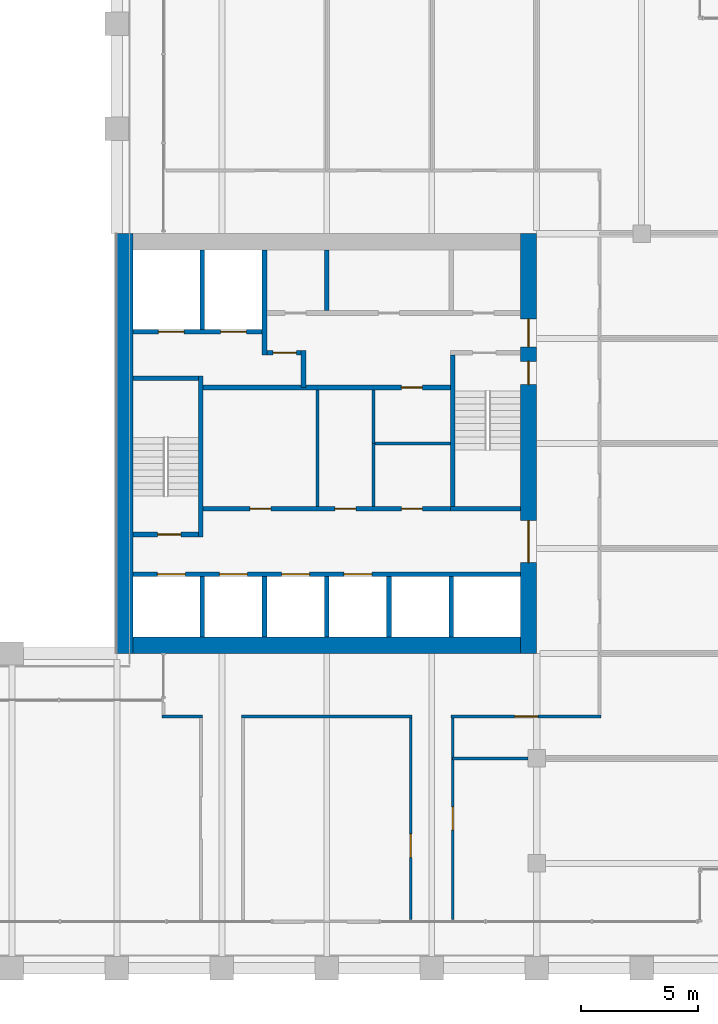
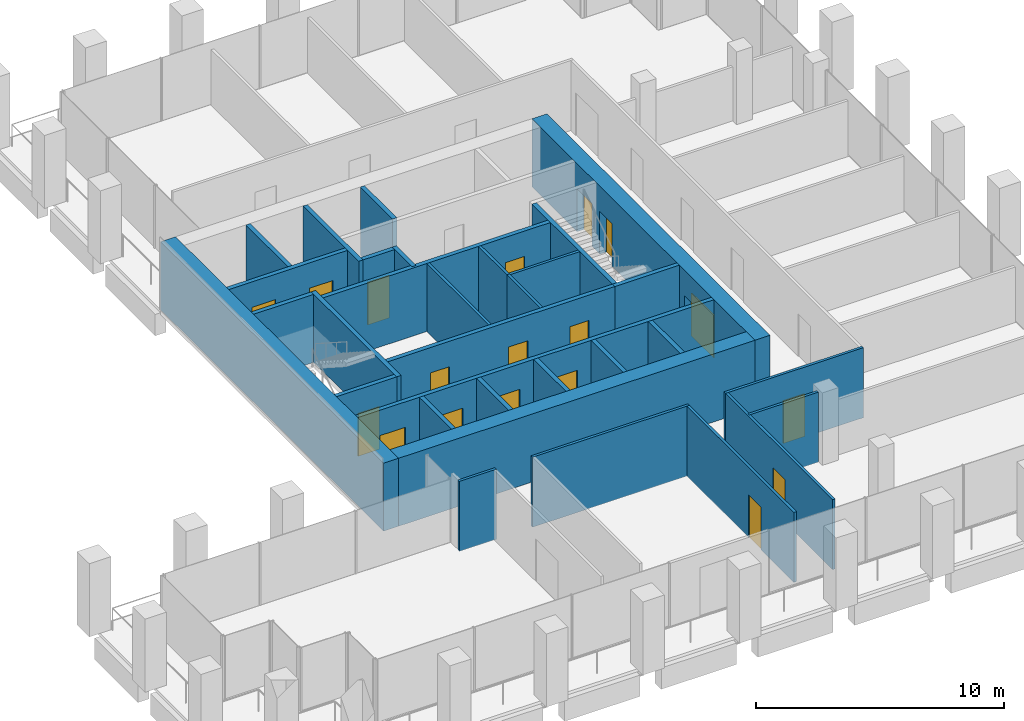
# One storey, part 41 of 46: 32 walls, 18 doors, 18 openings.
"""IFC4 building model written with IfcOpenShell, lengths in metres."""

from ifc_helpers import new_model, si_unit, direction, frame, frame_2d, origin, place, context, subcontext, project, spatial, rectangle, extrude, material, layer, layer_set, type_object, element, fill, save


model = new_model("IFC4")

# Units and contexts
model_context = context("Model", 3, precision=1e-05, world=origin(), true_north=direction((0.0, 1.0)))
body_context = subcontext(model_context, "Body", "Model", "MODEL_VIEW")
ifc_project = project(units=[si_unit("LENGTHUNIT", "METRE"), si_unit("AREAUNIT", "SQUARE_METRE"), si_unit("VOLUMEUNIT", "CUBIC_METRE"), si_unit("PLANEANGLEUNIT", "RADIAN"), si_unit("MASSUNIT", "GRAM", prefix="KILO")], contexts=[model_context])

# Site, building, storey
site_placement = place(None, origin())
site = spatial("IfcSite", under=ifc_project, at=site_placement, CompositionType="ELEMENT")
building_placement = place(site_placement, origin())
building = spatial("IfcBuilding", under=site, at=building_placement, Name="Altepetl Exchange Towers", CompositionType="ELEMENT")
storey_placement = place(building_placement, frame((0.0, 0.0, 131.60009765625)))
storey = spatial("IfcBuildingStorey", under=building, at=storey_placement, Name="L32", CompositionType="ELEMENT", Elevation=131.60009765625)

# Wall, openings, doors
ifc_material_1 = material(Name="Concrete C70/85", Category="concrete")
ifc_layer_1 = layer(ifc_material_1, 0.699951171875)
ifc_layer_set_1 = layer_set([ifc_layer_1], Name="Concrete C70/85")
wall_type_1 = type_object("IfcWallType", Name="Core wall 700 reinforced concrete", PredefinedType="SHEAR", material=ifc_layer_set_1)
wall_1_placement = place(storey_placement, frame((58.14990234375, 40.5, 0.0), z_axis=(0.0, 0.0, 1.0), x_axis=(0.0, 1.0, 0.0)))
wall_1 = element("IfcWall", 1, at=wall_1_placement, inside=storey, type_object=wall_type_1, Name="wall:A:L32:K-coreE", PredefinedType="SHEAR", context=body_context, shape_type="SweptSolid", body=[
    extrude(rectangle(XDim=18.0, YDim=0.699951171875, at=frame_2d((9.0, 0.0))), origin(), (0.0, 0.0, 1.0), 3.349853515625),
])
opening_1_placement = place(wall_1_placement, frame((13.14990234375, 0.0, 0.0)))
opening_1 = element("IfcOpeningElement", 2, at=opening_1_placement, cuts=wall_1, Name="Opening L32.A60", PredefinedType="OPENING", context=body_context, shape_type="SweptSolid", body=[
    extrude(rectangle(XDim=1.199951171875, YDim=2.10009765625, at=frame_2d((0.60009765625, 1.050048828125))), frame((0.0, 0.35986328125, 0.0), z_axis=(0.0, -1.0, 0.0), x_axis=(1.0, 0.0, 0.0)), (0.0, 0.0, 1.0), 0.719970703125),
])
opening_2_placement = place(wall_1_placement, frame((3.89990234375, 0.0, 0.0)))
opening_2 = element("IfcOpeningElement", 3, at=opening_2_placement, cuts=wall_1, Name="Opening L32.A61", PredefinedType="OPENING", context=body_context, shape_type="SweptSolid", body=[
    extrude(rectangle(XDim=1.800048828125, YDim=2.10009765625, at=frame_2d((0.89990234375, 1.050048828125))), frame((0.0, 0.35986328125, 0.0), z_axis=(0.0, -1.0, 0.0), x_axis=(1.0, 0.0, 0.0)), (0.0, 0.0, 1.0), 0.719970703125),
])
opening_3_placement = place(wall_1_placement, frame((11.52490234375, 0.0, 0.0)))
opening_3 = element("IfcOpeningElement", 4, at=opening_3_placement, cuts=wall_1, Name="Opening L32.A64", PredefinedType="OPENING", context=body_context, shape_type="SweptSolid", body=[
    extrude(rectangle(XDim=1.0, YDim=2.10009765625, at=frame_2d((0.5, 1.050048828125))), frame((0.0, 0.35986328125, 0.0), z_axis=(0.0, -1.0, 0.0), x_axis=(1.0, 0.0, 0.0)), (0.0, 0.0, 1.0), 0.719970703125),
])
ifc_material_2 = material(Name="Steel and timber fire door", Category="steel")
door_type_1 = type_object("IfcDoorType", Name="Fire door 1000 x 2100 stair and lobby", OperationType="SINGLE_SWING_LEFT", PredefinedType="DOOR", material=ifc_material_2)
door_1_placement = place(opening_3_placement, origin())
door_1 = element("IfcDoor", 5, at=door_1_placement, inside=storey, type_object=door_type_1, Name="door:A:L32:K-dS2x", OperationType="SINGLE_SWING_RIGHT", OverallHeight=2.10009765625, OverallWidth=1.0, PredefinedType="DOOR", context=body_context, shape_type="SweptSolid", body=[
    extrude(rectangle(XDim=1.0, YDim=2.10009765625, at=frame_2d((0.5, 1.050048828125))), frame((0.0, 0.02490234375, 0.0), z_axis=(0.0, -1.0, 0.0), x_axis=(1.0, 0.0, 0.0)), (0.0, 0.0, 1.0), 0.050048828125),
])
fill(opening_3, door_1)
door_type_2 = type_object("IfcDoorType", Name="Fire door 1200 x 2100 lobby entry", OperationType="SINGLE_SWING_LEFT", PredefinedType="DOOR", material=ifc_material_2)
door_2_placement = place(opening_1_placement, origin())
door_2 = element("IfcDoor", 6, at=door_2_placement, inside=storey, type_object=door_type_2, Name="door:A:L32:K-dLNE", OperationType="SINGLE_SWING_RIGHT", OverallHeight=2.10009765625, OverallWidth=1.199951171875, PredefinedType="DOOR", context=body_context, shape_type="SweptSolid", body=[
    extrude(rectangle(XDim=1.199951171875, YDim=2.10009765625, at=frame_2d((0.60009765625, 1.050048828125))), frame((0.0, 0.02490234375, 0.0), z_axis=(0.0, -1.0, 0.0), x_axis=(1.0, 0.0, 0.0)), (0.0, 0.0, 1.0), 0.050048828125),
])
fill(opening_1, door_2)
door_type_3 = type_object("IfcDoorType", Name="Fire door 1800 x 2100 lobby entry", OperationType="DOUBLE_DOOR_SINGLE_SWING", PredefinedType="DOOR", material=ifc_material_2)
door_3_placement = place(opening_2_placement, origin())
door_3 = element("IfcDoor", 7, at=door_3_placement, inside=storey, type_object=door_type_3, Name="door:A:L32:K-dLSE", OperationType="DOUBLE_DOOR_SINGLE_SWING", OverallHeight=2.10009765625, OverallWidth=1.800048828125, PredefinedType="DOOR", context=body_context, shape_type="SweptSolid", body=[
    extrude(rectangle(XDim=1.800048828125, YDim=2.10009765625, at=frame_2d((0.89990234375, 1.050048828125))), frame((0.0, 0.02490234375, 0.0), z_axis=(0.0, -1.0, 0.0), x_axis=(1.0, 0.0, 0.0)), (0.0, 0.0, 1.0), 0.050048828125),
])
fill(opening_2, door_3)

# Walls
wall_2_placement = place(storey_placement, frame((41.199951171875, 40.85009765625, 0.0)))
element("IfcWall", 8, at=wall_2_placement, inside=storey, type_object=wall_type_1, Name="wall:A:L32:K-coreS", PredefinedType="SHEAR", context=body_context, shape_type="SweptSolid", body=[
    extrude(rectangle(XDim=16.60009765625, YDim=0.699951171875, at=frame_2d((8.300048828125, 0.0))), origin(), (0.0, 0.0, 1.0), 3.349853515625),
])
ifc_layer_2 = layer(ifc_material_1, 0.699951171875)
ifc_layer_set_2 = layer_set([ifc_layer_2], Name="Concrete C70/85")
wall_type_2 = type_object("IfcWallType", Name="Core wall 700 reinforced concrete external", PredefinedType="SHEAR", material=ifc_layer_set_2)
wall_3_placement = place(storey_placement, frame((40.85009765625, 40.5, 0.0), z_axis=(0.0, 0.0, 1.0), x_axis=(0.0, 1.0, 0.0)))
element("IfcWall", 9, at=wall_3_placement, inside=storey, type_object=wall_type_2, Name="wall:A:L32:K-coreW", PredefinedType="SHEAR", context=body_context, shape_type="SweptSolid", body=[
    extrude(rectangle(XDim=18.0, YDim=0.699951171875, at=frame_2d((9.0, 0.0))), origin(), (0.0, 0.0, 1.0), 3.349853515625),
])
ifc_material_3 = material(Name="Concrete blockwork", Category="masonry")
ifc_layer_3 = layer(ifc_material_3, 0.199951171875)
ifc_layer_set_3 = layer_set([ifc_layer_3], Name="Concrete blockwork")
wall_type_3 = type_object("IfcWallType", Name="Lobby wall 200 blockwork", PredefinedType="PARTITIONING", material=ifc_layer_set_3)
wall_4_placement = place(storey_placement, frame((48.5, 51.89990234375, 0.0), z_axis=(0.0, 0.0, 1.0), x_axis=(0.0, 1.0, 0.0)))
element("IfcWall", 10, at=wall_4_placement, inside=storey, type_object=wall_type_3, Name="wall:A:L32:K-ffE", PredefinedType="PARTITIONING", context=body_context, shape_type="SweptSolid", body=[
    extrude(rectangle(XDim=1.60009765625, YDim=0.199951171875, at=frame_2d((0.800048828125, 0.0))), origin(), (0.0, 0.0, 1.0), 3.349853515625),
])

# Wall, opening, door
wall_5_placement = place(storey_placement, frame((46.933349609375, 53.39990234375, 0.0)))
wall_5 = element("IfcWall", 11, at=wall_5_placement, inside=storey, type_object=wall_type_3, Name="wall:A:L32:K-ffN", PredefinedType="PARTITIONING", context=body_context, shape_type="SweptSolid", body=[
    extrude(rectangle(XDim=1.466552734375, YDim=0.199951171875, at=frame_2d((0.7333984375, 0.0))), origin(), (0.0, 0.0, 1.0), 3.349853515625),
])
opening_4_placement = place(wall_5_placement, frame((0.2666015625, 0.0, 0.0)))
opening_4 = element("IfcOpeningElement", 12, at=opening_4_placement, cuts=wall_5, Name="Opening L32.A65", PredefinedType="OPENING", context=body_context, shape_type="SweptSolid", body=[
    extrude(rectangle(XDim=1.0, YDim=2.10009765625, at=frame_2d((0.5, 1.050048828125))), frame((0.0, 0.10986328125, 0.0), z_axis=(0.0, -1.0, 0.0), x_axis=(1.0, 0.0, 0.0)), (0.0, 0.0, 1.0), 0.219970703125),
])
door_4_placement = place(opening_4_placement, frame((1.0, 0.0, 0.0), x_axis=(-1.0, 0.0, 0.0)))
door_4 = element("IfcDoor", 13, at=door_4_placement, inside=storey, type_object=door_type_1, Name="door:A:L32:K-dffN", OperationType="SINGLE_SWING_RIGHT", OverallHeight=2.10009765625, OverallWidth=1.0, PredefinedType="DOOR", context=body_context, shape_type="SweptSolid", body=[
    extrude(rectangle(XDim=1.0, YDim=2.10009765625, at=frame_2d((0.5, 1.050048828125))), frame((0.0, 0.02490234375, 0.0), z_axis=(0.0, -1.0, 0.0), x_axis=(1.0, 0.0, 0.0)), (0.0, 0.0, 1.0), 0.050048828125),
])
fill(opening_4, door_4)

wall_6_placement = place(storey_placement, frame((44.199951171875, 51.89990234375, 0.0)))
wall_6 = element("IfcWall", 14, at=wall_6_placement, inside=storey, type_object=wall_type_3, Name="wall:A:L32:K-zoneN", PredefinedType="PARTITIONING", context=body_context, shape_type="SweptSolid", body=[
    extrude(rectangle(XDim=10.60009765625, YDim=0.199951171875, at=frame_2d((5.300048828125, 0.0))), origin(), (0.0, 0.0, 1.0), 3.349853515625),
])
opening_5_placement = place(wall_6_placement, frame((8.5, 0.0, 0.0)))
opening_5 = element("IfcOpeningElement", 15, at=opening_5_placement, cuts=wall_6, Name="Opening L32.A71", PredefinedType="OPENING", context=body_context, shape_type="SweptSolid", body=[
    extrude(rectangle(XDim=0.89990234375, YDim=2.10009765625, at=frame_2d((0.449951171875, 1.050048828125))), frame((0.0, 0.10986328125, 0.0), z_axis=(0.0, -1.0, 0.0), x_axis=(1.0, 0.0, 0.0)), (0.0, 0.0, 1.0), 0.219970703125),
])
door_type_4 = type_object("IfcDoorType", Name="Fire door 900 x 2100 service room", OperationType="SINGLE_SWING_LEFT", PredefinedType="DOOR", material=ifc_material_2)
door_5_placement = place(opening_5_placement, frame((0.89990234375, 0.0, 0.0), x_axis=(-1.0, 0.0, 0.0)))
door_5 = element("IfcDoor", 16, at=door_5_placement, inside=storey, type_object=door_type_4, Name="door:A:L32:K-dz3", OperationType="SINGLE_SWING_LEFT", OverallHeight=2.10009765625, OverallWidth=0.89990234375, PredefinedType="DOOR", context=body_context, shape_type="SweptSolid", body=[
    extrude(rectangle(XDim=0.89990234375, YDim=2.10009765625, at=frame_2d((0.449951171875, 1.050048828125))), frame((0.0, 0.02490234375, 0.0), z_axis=(0.0, -1.0, 0.0), x_axis=(1.0, 0.0, 0.0)), (0.0, 0.0, 1.0), 0.050048828125),
])
fill(opening_5, door_5)

# Wall, openings, doors
wall_7_placement = place(storey_placement, frame((44.199951171875, 46.699951171875, 0.0)))
wall_7 = element("IfcWall", 17, at=wall_7_placement, inside=storey, type_object=wall_type_3, Name="wall:A:L32:K-zoneS", PredefinedType="PARTITIONING", context=body_context, shape_type="SweptSolid", body=[
    extrude(rectangle(XDim=10.60009765625, YDim=0.199951171875, at=frame_2d((5.300048828125, 0.0))), origin(), (0.0, 0.0, 1.0), 3.349853515625),
])
opening_6_placement = place(wall_7_placement, frame((2.0, 0.0, 0.0)))
opening_6 = element("IfcOpeningElement", 18, at=opening_6_placement, cuts=wall_7, Name="Opening L32.A69", PredefinedType="OPENING", context=body_context, shape_type="SweptSolid", body=[
    extrude(rectangle(XDim=0.89990234375, YDim=2.10009765625, at=frame_2d((0.449951171875, 1.050048828125))), frame((0.0, 0.10986328125, 0.0), z_axis=(0.0, -1.0, 0.0), x_axis=(1.0, 0.0, 0.0)), (0.0, 0.0, 1.0), 0.219970703125),
])
opening_7_placement = place(wall_7_placement, frame((5.64990234375, 0.0, 0.0)))
opening_7 = element("IfcOpeningElement", 19, at=opening_7_placement, cuts=wall_7, Name="Opening L32.A70", PredefinedType="OPENING", context=body_context, shape_type="SweptSolid", body=[
    extrude(rectangle(XDim=0.89990234375, YDim=2.10009765625, at=frame_2d((0.449951171875, 1.050048828125))), frame((0.0, 0.10986328125, 0.0), z_axis=(0.0, -1.0, 0.0), x_axis=(1.0, 0.0, 0.0)), (0.0, 0.0, 1.0), 0.219970703125),
])
opening_8_placement = place(wall_7_placement, frame((8.5, 0.0, 0.0)))
opening_8 = element("IfcOpeningElement", 20, at=opening_8_placement, cuts=wall_7, Name="Opening L32.A72", PredefinedType="OPENING", context=body_context, shape_type="SweptSolid", body=[
    extrude(rectangle(XDim=0.89990234375, YDim=2.10009765625, at=frame_2d((0.449951171875, 1.050048828125))), frame((0.0, 0.10986328125, 0.0), z_axis=(0.0, -1.0, 0.0), x_axis=(1.0, 0.0, 0.0)), (0.0, 0.0, 1.0), 0.219970703125),
])
door_6_placement = place(opening_6_placement, origin())
door_6 = element("IfcDoor", 21, at=door_6_placement, inside=storey, type_object=door_type_4, Name="door:A:L32:K-dz1", OperationType="SINGLE_SWING_LEFT", OverallHeight=2.10009765625, OverallWidth=0.89990234375, PredefinedType="DOOR", context=body_context, shape_type="SweptSolid", body=[
    extrude(rectangle(XDim=0.89990234375, YDim=2.10009765625, at=frame_2d((0.449951171875, 1.050048828125))), frame((0.0, 0.02490234375, 0.0), z_axis=(0.0, -1.0, 0.0), x_axis=(1.0, 0.0, 0.0)), (0.0, 0.0, 1.0), 0.050048828125),
])
fill(opening_6, door_6)
door_7_placement = place(opening_7_placement, origin())
door_7 = element("IfcDoor", 22, at=door_7_placement, inside=storey, type_object=door_type_4, Name="door:A:L32:K-dz2", OperationType="SINGLE_SWING_RIGHT", OverallHeight=2.10009765625, OverallWidth=0.89990234375, PredefinedType="DOOR", context=body_context, shape_type="SweptSolid", body=[
    extrude(rectangle(XDim=0.89990234375, YDim=2.10009765625, at=frame_2d((0.449951171875, 1.050048828125))), frame((0.0, 0.02490234375, 0.0), z_axis=(0.0, -1.0, 0.0), x_axis=(1.0, 0.0, 0.0)), (0.0, 0.0, 1.0), 0.050048828125),
])
fill(opening_7, door_7)
door_8_placement = place(opening_8_placement, origin())
door_8 = element("IfcDoor", 23, at=door_8_placement, inside=storey, type_object=door_type_4, Name="door:A:L32:K-dz4", OperationType="SINGLE_SWING_RIGHT", OverallHeight=2.10009765625, OverallWidth=0.89990234375, PredefinedType="DOOR", context=body_context, shape_type="SweptSolid", body=[
    extrude(rectangle(XDim=0.89990234375, YDim=2.10009765625, at=frame_2d((0.449951171875, 1.050048828125))), frame((0.0, 0.02490234375, 0.0), z_axis=(0.0, -1.0, 0.0), x_axis=(1.0, 0.0, 0.0)), (0.0, 0.0, 1.0), 0.050048828125),
])
fill(opening_8, door_8)

# Walls
ifc_material_4 = material(Name="Gypsum board on steel studs", Category="steel")
ifc_layer_4 = layer(ifc_material_4, 0.125)
ifc_layer_set_4 = layer_set([ifc_layer_4], Name="Gypsum board on steel studs")
wall_type_4 = type_object("IfcWallType", Name="Partition 125 gypsum board on steel studs", PredefinedType="PARTITIONING", material=ifc_layer_set_4)
wall_8_placement = place(storey_placement, frame((49.10009765625, 46.800048828125, 0.0), z_axis=(0.0, 0.0, 1.0), x_axis=(0.0, 1.0, 0.0)))
element("IfcWall", 24, at=wall_8_placement, inside=storey, type_object=wall_type_4, Name="wall:A:L32:K-zp1", PredefinedType="PARTITIONING", context=body_context, shape_type="SweptSolid", body=[
    extrude(rectangle(XDim=5.0, YDim=0.125, at=frame_2d((2.5, 0.0))), origin(), (0.0, 0.0, 1.0), 3.349853515625),
])
wall_9_placement = place(storey_placement, frame((51.5, 46.800048828125, 0.0), z_axis=(0.0, 0.0, 1.0), x_axis=(0.0, 1.0, 0.0)))
element("IfcWall", 25, at=wall_9_placement, inside=storey, type_object=wall_type_4, Name="wall:A:L32:K-zp2", PredefinedType="PARTITIONING", context=body_context, shape_type="SweptSolid", body=[
    extrude(rectangle(XDim=2.762451171875, YDim=0.125, at=frame_2d((1.38134765625, 0.0))), origin(), (0.0, 0.0, 1.0), 3.349853515625),
])
wall_10_placement = place(storey_placement, frame((51.5625, 49.5, 0.0)))
element("IfcWall", 26, at=wall_10_placement, inside=storey, type_object=wall_type_4, Name="wall:A:L32:K-zp3", PredefinedType="PARTITIONING", context=body_context, shape_type="SweptSolid", body=[
    extrude(rectangle(XDim=3.237548828125, YDim=0.125, at=frame_2d((1.61865234375, 0.0))), origin(), (0.0, 0.0, 1.0), 3.349853515625),
])
wall_11_placement = place(storey_placement, frame((51.5, 49.5, 0.0), z_axis=(0.0, 0.0, 1.0), x_axis=(0.0, 1.0, 0.0)))
element("IfcWall", 27, at=wall_11_placement, inside=storey, type_object=wall_type_4, Name="wall:A:L32:K-zp4", PredefinedType="PARTITIONING", context=body_context, shape_type="SweptSolid", body=[
    extrude(rectangle(XDim=2.300048828125, YDim=0.125, at=frame_2d((1.14990234375, 0.0))), origin(), (0.0, 0.0, 1.0), 3.349853515625),
])
wall_12_placement = place(storey_placement, frame((54.89990234375, 36.0, 0.0)))
element("IfcWall", 28, at=wall_12_placement, inside=storey, type_object=wall_type_4, Name="wall:A:L32:P01", PredefinedType="PARTITIONING", context=body_context, shape_type="SweptSolid", body=[
    extrude(rectangle(XDim=3.22509765625, YDim=0.125, at=frame_2d((1.612548828125, 0.0))), origin(), (0.0, 0.0, 1.0), 3.449951171875),
])
wall_13_placement = place(storey_placement, frame((42.4375, 37.800048828125, 0.0)))
element("IfcWall", 29, at=wall_13_placement, inside=storey, type_object=wall_type_4, Name="wall:A:L32:P03", PredefinedType="PARTITIONING", context=body_context, shape_type="SweptSolid", body=[
    extrude(rectangle(XDim=1.72509765625, YDim=0.125, at=frame_2d((0.862548828125, 0.0))), origin(), (0.0, 0.0, 1.0), 3.449951171875),
])
wall_14_placement = place(storey_placement, frame((45.83740234375, 37.800048828125, 0.0)))
element("IfcWall", 30, at=wall_14_placement, inside=storey, type_object=wall_type_4, Name="wall:A:L32:P04", PredefinedType="PARTITIONING", context=body_context, shape_type="SweptSolid", body=[
    extrude(rectangle(XDim=7.3251953125, YDim=0.125, at=frame_2d((3.66259765625, 0.0))), origin(), (0.0, 0.0, 1.0), 3.449951171875),
])

# Wall, opening, door
wall_15_placement = place(storey_placement, frame((54.83740234375, 37.800048828125, 0.0)))
wall_15 = element("IfcWall", 31, at=wall_15_placement, inside=storey, type_object=wall_type_4, Name="wall:A:L32:P05", PredefinedType="PARTITIONING", context=body_context, shape_type="SweptSolid", body=[
    extrude(rectangle(XDim=6.425048828125, YDim=0.125, at=frame_2d((3.21240234375, 0.0))), origin(), (0.0, 0.0, 1.0), 3.449951171875),
])
opening_9_placement = place(wall_15_placement, frame((2.71240234375, 0.0, 0.0)))
opening_9 = element("IfcOpeningElement", 32, at=opening_9_placement, cuts=wall_15, Name="Opening L32.A04", PredefinedType="OPENING", context=body_context, shape_type="SweptSolid", body=[
    extrude(rectangle(XDim=1.0, YDim=2.10009765625, at=frame_2d((0.5, 1.050048828125))), frame((0.0, 0.072509765625, 0.0), z_axis=(0.0, -1.0, 0.0), x_axis=(1.0, 0.0, 0.0)), (0.0, 0.0, 1.0), 0.14501953125),
])
door_type_5 = type_object("IfcDoorType", Name="Fire door 1000 x 2100 single leaf", OperationType="SINGLE_SWING_LEFT", PredefinedType="DOOR", material=ifc_material_2)
door_9_placement = place(opening_9_placement, origin())
door_9 = element("IfcDoor", 33, at=door_9_placement, inside=storey, type_object=door_type_5, Name="door:A:L32:04", OperationType="SINGLE_SWING_LEFT", OverallHeight=2.10009765625, OverallWidth=1.0, PredefinedType="DOOR", context=body_context, shape_type="SweptSolid", body=[
    extrude(rectangle(XDim=1.0, YDim=2.10009765625, at=frame_2d((0.5, 1.050048828125))), frame((0.0, 0.02490234375, 0.0), z_axis=(0.0, -1.0, 0.0), x_axis=(1.0, 0.0, 0.0)), (0.0, 0.0, 1.0), 0.050048828125),
])
fill(opening_9, door_9)

wall_16_placement = place(storey_placement, frame((53.10009765625, 29.10009765625, 0.0), z_axis=(0.0, 0.0, 1.0), x_axis=(0.0, 1.0, 0.0)))
wall_16 = element("IfcWall", 34, at=wall_16_placement, inside=storey, type_object=wall_type_4, Name="wall:A:L32:P18", PredefinedType="PARTITIONING", context=body_context, shape_type="SweptSolid", body=[
    extrude(rectangle(XDim=8.637451171875, YDim=0.125, at=frame_2d((4.31884765625, 0.0))), origin(), (0.0, 0.0, 1.0), 3.449951171875),
])
opening_10_placement = place(wall_16_placement, frame((2.659912109375, 0.0, 0.0)))
opening_10 = element("IfcOpeningElement", 35, at=opening_10_placement, cuts=wall_16, Name="Opening L32.A02", PredefinedType="OPENING", context=body_context, shape_type="SweptSolid", body=[
    extrude(rectangle(XDim=1.0, YDim=2.10009765625, at=frame_2d((0.5, 1.050048828125))), frame((0.0, 0.072509765625, 0.0), z_axis=(0.0, -1.0, 0.0), x_axis=(1.0, 0.0, 0.0)), (0.0, 0.0, 1.0), 0.14501953125),
])
door_10_placement = place(opening_10_placement, origin())
door_10 = element("IfcDoor", 36, at=door_10_placement, inside=storey, type_object=door_type_5, Name="door:A:L32:02", OperationType="SINGLE_SWING_RIGHT", OverallHeight=2.10009765625, OverallWidth=1.0, PredefinedType="DOOR", context=body_context, shape_type="SweptSolid", body=[
    extrude(rectangle(XDim=1.0, YDim=2.10009765625, at=frame_2d((0.5, 1.050048828125))), frame((0.0, 0.02490234375, 0.0), z_axis=(0.0, -1.0, 0.0), x_axis=(1.0, 0.0, 0.0)), (0.0, 0.0, 1.0), 0.050048828125),
])
fill(opening_10, door_10)

wall_17_placement = place(storey_placement, frame((54.89990234375, 29.10009765625, 0.0), z_axis=(0.0, 0.0, 1.0), x_axis=(0.0, 1.0, 0.0)))
wall_17 = element("IfcWall", 37, at=wall_17_placement, inside=storey, type_object=wall_type_4, Name="wall:A:L32:P20", PredefinedType="PARTITIONING", context=body_context, shape_type="SweptSolid", body=[
    extrude(rectangle(XDim=8.637451171875, YDim=0.125, at=frame_2d((4.31884765625, 0.0))), origin(), (0.0, 0.0, 1.0), 3.449951171875),
])
opening_11_placement = place(wall_17_placement, frame((3.824951171875, 0.0, 0.0)))
opening_11 = element("IfcOpeningElement", 38, at=opening_11_placement, cuts=wall_17, Name="Opening L32.A03", PredefinedType="OPENING", context=body_context, shape_type="SweptSolid", body=[
    extrude(rectangle(XDim=1.0, YDim=2.10009765625, at=frame_2d((0.5, 1.050048828125))), frame((0.0, 0.072509765625, 0.0), z_axis=(0.0, -1.0, 0.0), x_axis=(1.0, 0.0, 0.0)), (0.0, 0.0, 1.0), 0.14501953125),
])
door_11_placement = place(opening_11_placement, frame((1.0, 0.0, 0.0), x_axis=(-1.0, 0.0, 0.0)))
door_11 = element("IfcDoor", 39, at=door_11_placement, inside=storey, type_object=door_type_5, Name="door:A:L32:03", OperationType="SINGLE_SWING_LEFT", OverallHeight=2.10009765625, OverallWidth=1.0, PredefinedType="DOOR", context=body_context, shape_type="SweptSolid", body=[
    extrude(rectangle(XDim=1.0, YDim=2.10009765625, at=frame_2d((0.5, 1.050048828125))), frame((0.0, 0.02490234375, 0.0), z_axis=(0.0, -1.0, 0.0), x_axis=(1.0, 0.0, 0.0)), (0.0, 0.0, 1.0), 0.050048828125),
])
fill(opening_11, door_11)

# Walls
ifc_material_5 = material(Name="Concrete C40/50", Category="concrete")
ifc_layer_5 = layer(ifc_material_5, 0.199951171875)
ifc_layer_set_5 = layer_set([ifc_layer_5], Name="Concrete C40/50")
wall_type_5 = type_object("IfcWallType", Name="Shaft wall 200 reinforced concrete", PredefinedType="SHEAR", material=ifc_layer_set_5)
wall_18_placement = place(storey_placement, frame((44.166748046875, 57.800048828125, 0.0), z_axis=(0.0, 0.0, 1.0), x_axis=(0.0, -1.0, 0.0)))
element("IfcWall", 40, at=wall_18_placement, inside=storey, type_object=wall_type_5, Name="wall:A:L32:K-divN1", PredefinedType="SHEAR", context=body_context, shape_type="SweptSolid", body=[
    extrude(rectangle(XDim=3.400146484375, YDim=0.199951171875, at=frame_2d((1.7001953125, 0.0))), origin(), (0.0, 0.0, 1.0), 3.349853515625),
])
wall_19_placement = place(storey_placement, frame((46.833251953125, 57.800048828125, 0.0), z_axis=(0.0, 0.0, 1.0), x_axis=(0.0, -1.0, 0.0)))
element("IfcWall", 41, at=wall_19_placement, inside=storey, type_object=wall_type_5, Name="wall:A:L32:K-divN2", PredefinedType="SHEAR", context=body_context, shape_type="SweptSolid", body=[
    extrude(rectangle(XDim=4.5, YDim=0.199951171875, at=frame_2d((2.25, 0.0))), origin(), (0.0, 0.0, 1.0), 3.349853515625),
])
for number, where, z_axis, x_axis, name in (
    (42, (49.5, 57.800048828125, 0.0), (0.0, 0.0, 1.0), (0.0, -1.0, 0.0), "wall:A:L32:K-divN3"),
    (43, (44.166748046875, 41.199951171875, 0.0), (0.0, 0.0, 1.0), (0.0, 1.0, 0.0), "wall:A:L32:K-divS1"),
    (44, (46.833251953125, 41.199951171875, 0.0), (0.0, 0.0, 1.0), (0.0, 1.0, 0.0), "wall:A:L32:K-divS2"),
    (45, (49.5, 41.199951171875, 0.0), (0.0, 0.0, 1.0), (0.0, 1.0, 0.0), "wall:A:L32:K-divS3"),
    (46, (52.166748046875, 41.199951171875, 0.0), (0.0, 0.0, 1.0), (0.0, 1.0, 0.0), "wall:A:L32:K-divS4"),
    (47, (54.833251953125, 41.199951171875, 0.0), (0.0, 0.0, 1.0), (0.0, 1.0, 0.0), "wall:A:L32:K-divS5"),
):
    element("IfcWall", number, at=place(storey_placement, frame(where, z_axis=z_axis, x_axis=x_axis)), inside=storey, type_object=wall_type_5, Name=name, PredefinedType="SHEAR", context=body_context, shape_type="SweptSolid", body=[
        extrude(rectangle(XDim=2.60009765625, YDim=0.199951171875, at=frame_2d((1.300048828125, 0.0))), origin(), (0.0, 0.0, 1.0), 3.349853515625),
    ])

# Wall, openings, doors
wall_20_placement = place(storey_placement, frame((41.199951171875, 54.300048828125, 0.0)))
wall_20 = element("IfcWall", 48, at=wall_20_placement, inside=storey, type_object=wall_type_5, Name="wall:A:L32:K-frontNd", PredefinedType="SHEAR", context=body_context, shape_type="SweptSolid", body=[
    extrude(rectangle(XDim=5.533447265625, YDim=0.199951171875, at=frame_2d((2.7666015625, 0.0))), origin(), (0.0, 0.0, 1.0), 3.349853515625),
])
opening_12_placement = place(wall_20_placement, frame((1.083251953125, 0.0, 0.0)))
opening_12 = element("IfcOpeningElement", 49, at=opening_12_placement, cuts=wall_20, Name="Opening L32.A73", PredefinedType="OPENING", context=body_context, shape_type="SweptSolid", body=[
    extrude(rectangle(XDim=1.10009765625, YDim=2.10009765625, at=frame_2d((0.550048828125, 1.050048828125))), frame((0.0, 0.10986328125, 0.0), z_axis=(0.0, -1.0, 0.0), x_axis=(1.0, 0.0, 0.0)), (0.0, 0.0, 1.0), 0.219970703125),
])
opening_13_placement = place(wall_20_placement, frame((3.75, 0.0, 0.0)))
opening_13 = element("IfcOpeningElement", 50, at=opening_13_placement, cuts=wall_20, Name="Opening L32.A74", PredefinedType="OPENING", context=body_context, shape_type="SweptSolid", body=[
    extrude(rectangle(XDim=1.10009765625, YDim=2.10009765625, at=frame_2d((0.550048828125, 1.050048828125))), frame((0.0, 0.10986328125, 0.0), z_axis=(0.0, -1.0, 0.0), x_axis=(1.0, 0.0, 0.0)), (0.0, 0.0, 1.0), 0.219970703125),
])
ifc_material_6 = material(Name="Stainless steel", Category="steel")
door_type_6 = type_object("IfcDoorType", Name="Lift landing door 1100 x 2100", OperationType="SLIDING_TO_LEFT", PredefinedType="DOOR", material=ifc_material_6)
door_12_placement = place(opening_12_placement, origin())
door_12 = element("IfcDoor", 51, at=door_12_placement, inside=storey, type_object=door_type_6, Name="Landing door FFL1", OperationType="SLIDING_TO_LEFT", OverallHeight=2.10009765625, OverallWidth=1.10009765625, PredefinedType="DOOR", context=body_context, shape_type="SweptSolid", body=[
    extrude(rectangle(XDim=1.10009765625, YDim=2.10009765625, at=frame_2d((0.550048828125, 1.050048828125))), frame((0.0, 0.02490234375, 0.0), z_axis=(0.0, -1.0, 0.0), x_axis=(1.0, 0.0, 0.0)), (0.0, 0.0, 1.0), 0.050048828125),
])
fill(opening_12, door_12)
door_13_placement = place(opening_13_placement, origin())
door_13 = element("IfcDoor", 52, at=door_13_placement, inside=storey, type_object=door_type_6, Name="Landing door FFL2", OperationType="SLIDING_TO_LEFT", OverallHeight=2.10009765625, OverallWidth=1.10009765625, PredefinedType="DOOR", context=body_context, shape_type="SweptSolid", body=[
    extrude(rectangle(XDim=1.10009765625, YDim=2.10009765625, at=frame_2d((0.550048828125, 1.050048828125))), frame((0.0, 0.02490234375, 0.0), z_axis=(0.0, -1.0, 0.0), x_axis=(1.0, 0.0, 0.0)), (0.0, 0.0, 1.0), 0.050048828125),
])
fill(opening_13, door_13)

wall_21_placement = place(storey_placement, frame((41.199951171875, 43.89990234375, 0.0)))
wall_21 = element("IfcWall", 53, at=wall_21_placement, inside=storey, type_object=wall_type_5, Name="wall:A:L32:K-frontS", PredefinedType="SHEAR", context=body_context, shape_type="SweptSolid", body=[
    extrude(rectangle(XDim=16.60009765625, YDim=0.199951171875, at=frame_2d((8.300048828125, 0.0))), origin(), (0.0, 0.0, 1.0), 3.349853515625),
])
opening_14_placement = place(wall_21_placement, frame((1.033203125, 0.0, 0.0)))
opening_14 = element("IfcOpeningElement", 54, at=opening_14_placement, cuts=wall_21, Name="Opening L32.A75", PredefinedType="OPENING", context=body_context, shape_type="SweptSolid", body=[
    extrude(rectangle(XDim=1.199951171875, YDim=2.10009765625, at=frame_2d((0.60009765625, 1.050048828125))), frame((0.0, 0.10986328125, 0.0), z_axis=(0.0, -1.0, 0.0), x_axis=(1.0, 0.0, 0.0)), (0.0, 0.0, 1.0), 0.219970703125),
])
opening_15_placement = place(wall_21_placement, frame((3.699951171875, 0.0, 0.0)))
opening_15 = element("IfcOpeningElement", 55, at=opening_15_placement, cuts=wall_21, Name="Opening L32.A76", PredefinedType="OPENING", context=body_context, shape_type="SweptSolid", body=[
    extrude(rectangle(XDim=1.199951171875, YDim=2.10009765625, at=frame_2d((0.60009765625, 1.050048828125))), frame((0.0, 0.10986328125, 0.0), z_axis=(0.0, -1.0, 0.0), x_axis=(1.0, 0.0, 0.0)), (0.0, 0.0, 1.0), 0.219970703125),
])
opening_16_placement = place(wall_21_placement, frame((6.36669921875, 0.0, 0.0)))
opening_16 = element("IfcOpeningElement", 56, at=opening_16_placement, cuts=wall_21, Name="Opening L32.A77", PredefinedType="OPENING", context=body_context, shape_type="SweptSolid", body=[
    extrude(rectangle(XDim=1.199951171875, YDim=2.10009765625, at=frame_2d((0.60009765625, 1.050048828125))), frame((0.0, 0.10986328125, 0.0), z_axis=(0.0, -1.0, 0.0), x_axis=(1.0, 0.0, 0.0)), (0.0, 0.0, 1.0), 0.219970703125),
])
opening_17_placement = place(wall_21_placement, frame((9.033203125, 0.0, 0.0)))
opening_17 = element("IfcOpeningElement", 57, at=opening_17_placement, cuts=wall_21, Name="Opening L32.A78", PredefinedType="OPENING", context=body_context, shape_type="SweptSolid", body=[
    extrude(rectangle(XDim=1.199951171875, YDim=2.10009765625, at=frame_2d((0.60009765625, 1.050048828125))), frame((0.0, 0.10986328125, 0.0), z_axis=(0.0, -1.0, 0.0), x_axis=(1.0, 0.0, 0.0)), (0.0, 0.0, 1.0), 0.219970703125),
])
door_type_7 = type_object("IfcDoorType", Name="Lift landing door 1200 x 2100", OperationType="SLIDING_TO_LEFT", PredefinedType="DOOR", material=ifc_material_6)
door_14_placement = place(opening_14_placement, origin())
door_14 = element("IfcDoor", 58, at=door_14_placement, inside=storey, type_object=door_type_7, Name="Landing door P1", OperationType="SLIDING_TO_LEFT", OverallHeight=2.10009765625, OverallWidth=1.199951171875, PredefinedType="DOOR", context=body_context, shape_type="SweptSolid", body=[
    extrude(rectangle(XDim=1.199951171875, YDim=2.10009765625, at=frame_2d((0.60009765625, 1.050048828125))), frame((0.0, 0.02490234375, 0.0), z_axis=(0.0, -1.0, 0.0), x_axis=(1.0, 0.0, 0.0)), (0.0, 0.0, 1.0), 0.050048828125),
])
fill(opening_14, door_14)
door_15_placement = place(opening_15_placement, origin())
door_15 = element("IfcDoor", 59, at=door_15_placement, inside=storey, type_object=door_type_7, Name="Landing door P2", OperationType="SLIDING_TO_LEFT", OverallHeight=2.10009765625, OverallWidth=1.199951171875, PredefinedType="DOOR", context=body_context, shape_type="SweptSolid", body=[
    extrude(rectangle(XDim=1.199951171875, YDim=2.10009765625, at=frame_2d((0.60009765625, 1.050048828125))), frame((0.0, 0.02490234375, 0.0), z_axis=(0.0, -1.0, 0.0), x_axis=(1.0, 0.0, 0.0)), (0.0, 0.0, 1.0), 0.050048828125),
])
fill(opening_15, door_15)
door_16_placement = place(opening_16_placement, origin())
door_16 = element("IfcDoor", 60, at=door_16_placement, inside=storey, type_object=door_type_7, Name="Landing door P3", OperationType="SLIDING_TO_LEFT", OverallHeight=2.10009765625, OverallWidth=1.199951171875, PredefinedType="DOOR", context=body_context, shape_type="SweptSolid", body=[
    extrude(rectangle(XDim=1.199951171875, YDim=2.10009765625, at=frame_2d((0.60009765625, 1.050048828125))), frame((0.0, 0.02490234375, 0.0), z_axis=(0.0, -1.0, 0.0), x_axis=(1.0, 0.0, 0.0)), (0.0, 0.0, 1.0), 0.050048828125),
])
fill(opening_16, door_16)
door_17_placement = place(opening_17_placement, origin())
door_17 = element("IfcDoor", 61, at=door_17_placement, inside=storey, type_object=door_type_7, Name="Landing door P4", OperationType="SLIDING_TO_LEFT", OverallHeight=2.10009765625, OverallWidth=1.199951171875, PredefinedType="DOOR", context=body_context, shape_type="SweptSolid", body=[
    extrude(rectangle(XDim=1.199951171875, YDim=2.10009765625, at=frame_2d((0.60009765625, 1.050048828125))), frame((0.0, 0.02490234375, 0.0), z_axis=(0.0, -1.0, 0.0), x_axis=(1.0, 0.0, 0.0)), (0.0, 0.0, 1.0), 0.050048828125),
])
fill(opening_17, door_17)

# Walls
ifc_layer_6 = layer(ifc_material_5, 0.199951171875)
ifc_layer_set_6 = layer_set([ifc_layer_6], Name="Concrete C40/50")
wall_type_6 = type_object("IfcWallType", Name="Stair wall 200 reinforced concrete", PredefinedType="SHEAR", material=ifc_layer_set_6)
wall_22_placement = place(storey_placement, frame((44.10009765625, 45.5, 0.0), z_axis=(0.0, 0.0, 1.0), x_axis=(0.0, 1.0, 0.0)))
element("IfcWall", 62, at=wall_22_placement, inside=storey, type_object=wall_type_6, Name="wall:A:L32:K-stS1E", PredefinedType="SHEAR", context=body_context, shape_type="SweptSolid", body=[
    extrude(rectangle(XDim=6.89990234375, YDim=0.199951171875, at=frame_2d((3.449951171875, 0.0))), origin(), (0.0, 0.0, 1.0), 3.349853515625),
])
wall_23_placement = place(storey_placement, frame((41.199951171875, 52.300048828125, 0.0)))
element("IfcWall", 63, at=wall_23_placement, inside=storey, type_object=wall_type_6, Name="wall:A:L32:K-stS1N", PredefinedType="SHEAR", context=body_context, shape_type="SweptSolid", body=[
    extrude(rectangle(XDim=2.800048828125, YDim=0.199951171875, at=frame_2d((1.39990234375, 0.0))), origin(), (0.0, 0.0, 1.0), 3.349853515625),
])

# Wall, opening, door
wall_24_placement = place(storey_placement, frame((41.199951171875, 45.60009765625, 0.0)))
wall_24 = element("IfcWall", 64, at=wall_24_placement, inside=storey, type_object=wall_type_6, Name="wall:A:L32:K-stS1S", PredefinedType="SHEAR", context=body_context, shape_type="SweptSolid", body=[
    extrude(rectangle(XDim=2.800048828125, YDim=0.199951171875, at=frame_2d((1.39990234375, 0.0))), origin(), (0.0, 0.0, 1.0), 3.349853515625),
])
opening_18_placement = place(wall_24_placement, frame((1.050048828125, 0.0, 0.0)))
opening_18 = element("IfcOpeningElement", 65, at=opening_18_placement, cuts=wall_24, Name="Opening L32.A62", PredefinedType="OPENING", context=body_context, shape_type="SweptSolid", body=[
    extrude(rectangle(XDim=1.0, YDim=2.10009765625, at=frame_2d((0.5, 1.050048828125))), frame((0.0, 0.10986328125, 0.0), z_axis=(0.0, -1.0, 0.0), x_axis=(1.0, 0.0, 0.0)), (0.0, 0.0, 1.0), 0.219970703125),
])
door_18_placement = place(opening_18_placement, origin())
door_18 = element("IfcDoor", 66, at=door_18_placement, inside=storey, type_object=door_type_1, Name="door:A:L32:K-dS1in", OperationType="SINGLE_SWING_RIGHT", OverallHeight=2.10009765625, OverallWidth=1.0, PredefinedType="DOOR", context=body_context, shape_type="SweptSolid", body=[
    extrude(rectangle(XDim=1.0, YDim=2.10009765625, at=frame_2d((0.5, 1.050048828125))), frame((0.0, 0.02490234375, 0.0), z_axis=(0.0, -1.0, 0.0), x_axis=(1.0, 0.0, 0.0)), (0.0, 0.0, 1.0), 0.050048828125),
])
fill(opening_18, door_18)

# Walls
wall_25_placement = place(storey_placement, frame((54.800048828125, 46.699951171875, 0.0)))
element("IfcWall", 67, at=wall_25_placement, inside=storey, type_object=wall_type_6, Name="wall:A:L32:K-stS2S", PredefinedType="SHEAR", context=body_context, shape_type="SweptSolid", body=[
    extrude(rectangle(XDim=3.0, YDim=0.199951171875, at=frame_2d((1.5, 0.0))), origin(), (0.0, 0.0, 1.0), 3.349853515625),
])
wall_26_placement = place(storey_placement, frame((54.89990234375, 46.800048828125, 0.0), z_axis=(0.0, 0.0, 1.0), x_axis=(0.0, 1.0, 0.0)))
element("IfcWall", 68, at=wall_26_placement, inside=storey, type_object=wall_type_6, Name="wall:A:L32:K-stS2W", PredefinedType="SHEAR", context=body_context, shape_type="SweptSolid", body=[
    extrude(rectangle(XDim=6.5, YDim=0.199951171875, at=frame_2d((3.25, 0.0))), origin(), (0.0, 0.0, 1.0), 3.349853515625),
])

save(model, "model.ifc")
